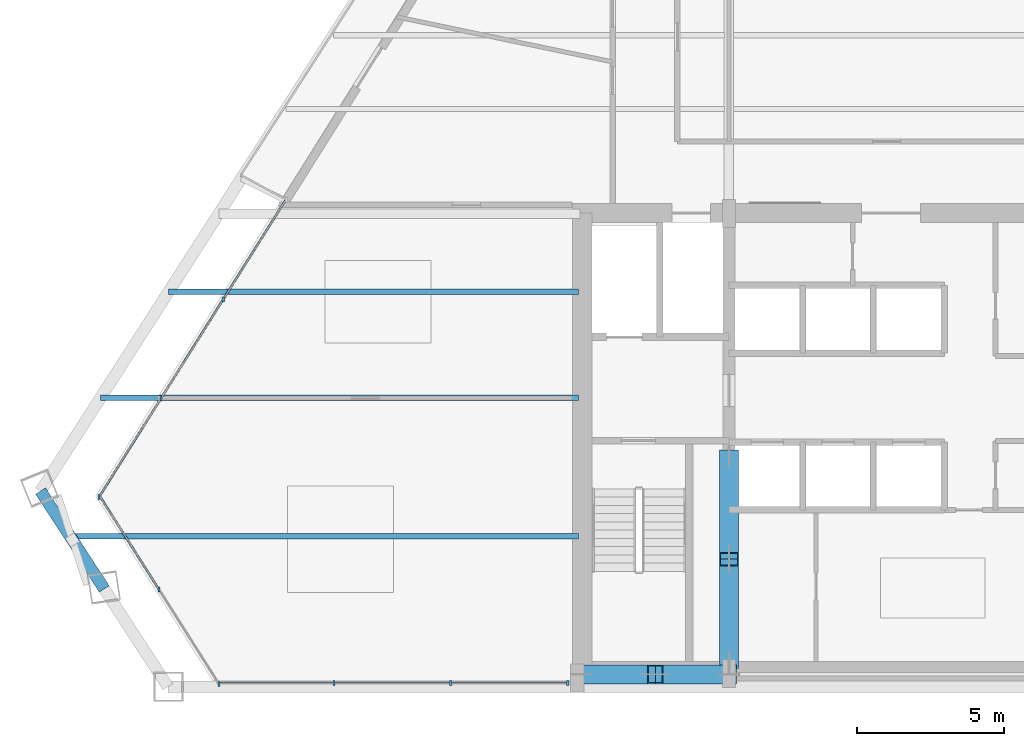
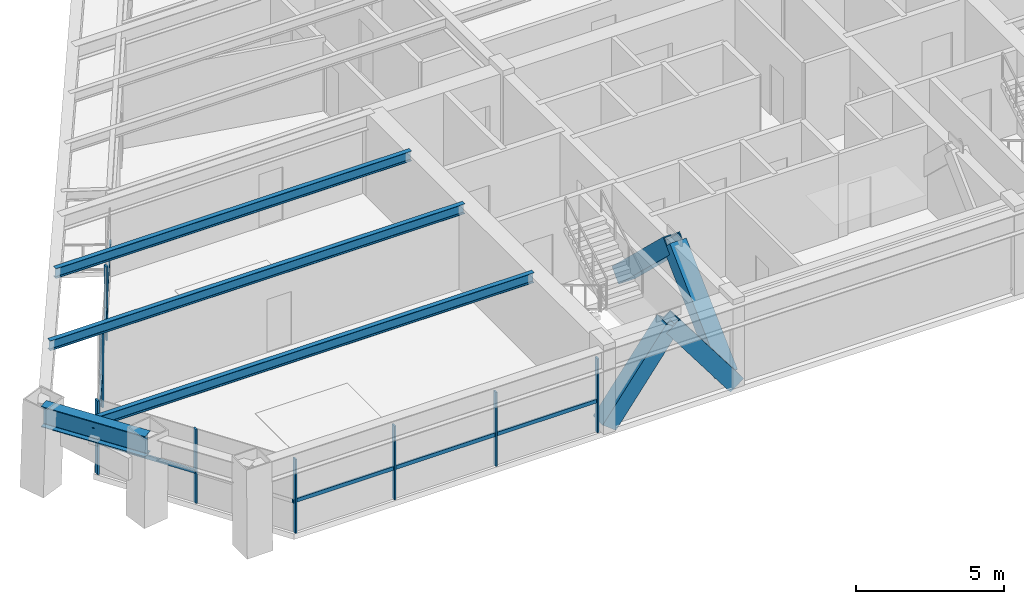
# One storey, part 2 of 15: 19 members, 4 beams, 3 elements without a shape of their own.
"""IFC4 building model written with IfcOpenShell, lengths in metres."""

from ifc_helpers import new_model, si_unit, direction, frame, origin, origin_2d, place, context, subcontext, project, spatial, rectangle, hollow_rectangle, i_section, extrude, source, transform, mapped, material, material_profile, profile_set, type_object, element, aggregate, save


model = new_model("IFC4")

# Units and contexts
model_context = context("Model", 3, precision=1e-05, world=origin(), true_north=direction((0.0, 1.0)))
body_context = subcontext(model_context, "Body", "Model", "MODEL_VIEW")
ifc_project = project(units=[si_unit("LENGTHUNIT", "METRE"), si_unit("AREAUNIT", "SQUARE_METRE"), si_unit("VOLUMEUNIT", "CUBIC_METRE"), si_unit("PLANEANGLEUNIT", "RADIAN"), si_unit("MASSUNIT", "GRAM", prefix="KILO")], contexts=[model_context])

# Site, building, storey
site_placement = place(None, origin())
site = spatial("IfcSite", under=ifc_project, at=site_placement, CompositionType="ELEMENT")
building_placement = place(site_placement, origin())
building = spatial("IfcBuilding", under=site, at=building_placement, Name="Varnakhor Terracotta Tower", CompositionType="ELEMENT")
storey_placement = place(building_placement, frame((0.0, 0.0, 174.699951171875)))
storey = spatial("IfcBuildingStorey", under=building, at=storey_placement, Name="L44", CompositionType="ELEMENT", Elevation=174.699951171875)

# Members
ifc_material_1 = material(Name="Steel S460", Category="steel")
ifc_material_profile_1 = material_profile(ifc_material_1, hollow_rectangle(XDim=0.64990234375, YDim=0.64990234375, WallThickness=0.0400390625, at=origin_2d()), Name="HSS650X650X40")
ifc_profile_set_1 = profile_set([ifc_material_profile_1], Name="Steel S460")
member_type_1 = type_object("IfcMemberType", Name="MBR-MEGA-650", PredefinedType="BRACE", material=ifc_profile_set_1)
shared_shape_1 = source(origin(), body_context, "Body", "SweptSolid", [
    extrude(hollow_rectangle(XDim=0.64990234375, YDim=0.64990234375, WallThickness=0.0400390625, at=origin_2d()), origin(), (0.0, 0.0, 1.0), 4.805908203125),
])
member_1_placement = place(storey_placement, frame((-5.5, 0.85009765625, 0.0), z_axis=(0.0, 0.723026776832, 0.69082000549), x_axis=(-1.0, 0.0, 0.0)))
element("IfcMember", 1, at=member_1_placement, inside=storey, type_object=member_type_1, Name="L44 Core Coupled Brace CWWA", PredefinedType="BRACE", context=body_context, shape_type="MappedRepresentation", body=[
    mapped(shared_shape_1, transform((0.0, 0.0, 0.0), scale=1.0)),
])
shared_shape_2 = source(origin(), body_context, "Body", "SweptSolid", [
    extrude(hollow_rectangle(XDim=0.64990234375, YDim=0.64990234375, WallThickness=0.0400390625, at=origin_2d()), origin(), (0.0, 0.0, 1.0), 4.156005859375),
])
for number, where, z_axis, x_axis, name in (
    (2, (-10.5, 0.419921875, 0.0), (0.601530923869, 0.0, 0.798849515009), (0.0, 1.0, 0.0), "L44 Core Coupled Brace CSWA"),
    (3, (-5.5, 0.419921875, 0.0), (-0.601530923869, 0.0, 0.798849515009), (0.0, -1.0, 0.0), "L44 Core Coupled Brace CSWB"),
):
    element("IfcMember", number, at=place(storey_placement, frame(where, z_axis=z_axis, x_axis=x_axis)), inside=storey, type_object=member_type_1, Name=name, PredefinedType="BRACE", context=body_context, shape_type="MappedRepresentation", body=[
        mapped(shared_shape_2, transform((0.0, 0.0, 0.0), scale=1.0)),
    ])
shared_shape_3 = source(origin(), body_context, "Body", "SweptSolid", [
    extrude(hollow_rectangle(XDim=0.64990234375, YDim=0.64990234375, WallThickness=0.0400390625, at=origin_2d()), origin(), (0.0, 0.0, 1.0), 4.80615234375),
])
member_2_placement = place(storey_placement, frame((-5.5, 7.800048828125, 0.0), z_axis=(0.0, -0.723051018573, 0.690794632681), x_axis=(1.0, 0.0, 0.0)))
element("IfcMember", 4, at=member_2_placement, inside=storey, type_object=member_type_1, Name="L44 Core Coupled Brace CWWB", PredefinedType="BRACE", context=body_context, shape_type="MappedRepresentation", body=[
    mapped(shared_shape_3, transform((0.0, 0.0, 0.0), scale=1.0)),
])

# Beams
ifc_material_2 = material(Name="Steel S355", Category="steel")
ifc_material_profile_2 = material_profile(ifc_material_2, i_section(OverallWidth=0.39990234375, OverallDepth=0.85498046875, WebThickness=0.01806640625, FlangeThickness=0.029052734375, FilletRadius=0.01806640625, at=origin_2d()), Name="W33X201")
ifc_profile_set_2 = profile_set([ifc_material_profile_2], Name="Steel S355")
beam_type_1 = type_object("IfcBeamType", Name="BM-W33X201", PredefinedType="BEAM", material=ifc_profile_set_2)
shared_shape_4 = source(origin(), body_context, "Body", "SweptSolid", [
    extrude(i_section(OverallWidth=0.39990234375, OverallDepth=0.85498046875, WebThickness=0.01806640625, FlangeThickness=0.029052734375, FilletRadius=0.01806640625, at=origin_2d()), origin(), (0.0, 0.0, 1.0), 3.959228515625),
])
beam_1_placement = place(storey_placement, frame((-28.856689453125, 6.6376953125, 3.04248046875), z_axis=(0.545244089697, -0.838277330393, 0.0), x_axis=(0.838277330393, 0.545244089697, 0.0)))
element("IfcBeam", 5, at=beam_1_placement, inside=storey, type_object=beam_type_1, Name="L44 Perimeter Spandrel 7", PredefinedType="BEAM", context=body_context, shape_type="MappedRepresentation", body=[
    mapped(shared_shape_4, transform((0.0, 0.0, 0.0), scale=1.0)),
])
ifc_material_profile_3 = material_profile(ifc_material_2, i_section(OverallWidth=0.179931640625, OverallDepth=0.4130859375, WebThickness=0.009765625, FlangeThickness=0.01611328125, FilletRadius=0.01806640625, at=origin_2d()), Name="W16X50")
ifc_profile_set_3 = profile_set([ifc_material_profile_3], Name="Steel S355")
beam_type_2 = type_object("IfcBeamType", Name="JST-W16X50", PredefinedType="JOIST", material=ifc_profile_set_3)
shared_shape_5 = source(origin(), body_context, "Body", "SweptSolid", [
    extrude(i_section(OverallWidth=0.179931640625, OverallDepth=0.4130859375, WebThickness=0.009765625, FlangeThickness=0.01611328125, FilletRadius=0.01806640625, at=origin_2d()), origin(), (0.0, 0.0, 1.0), 17.25634765625),
])
beam_2_placement = place(storey_placement, frame((-27.8564453125, 5.10009765625, 3.263427734375), z_axis=(1.0, 0.0, 0.0), x_axis=(0.0, 1.0, 0.0)))
element("IfcBeam", 6, at=beam_2_placement, inside=storey, type_object=beam_type_2, Name="L44 Floor Joist W1", PredefinedType="JOIST", context=body_context, shape_type="MappedRepresentation", body=[
    mapped(shared_shape_5, transform((0.0, 0.0, 0.0), scale=1.0)),
])
shared_shape_6 = source(origin(), body_context, "Body", "SweptSolid", [
    extrude(i_section(OverallWidth=0.179931640625, OverallDepth=0.4130859375, WebThickness=0.009765625, FlangeThickness=0.01611328125, FilletRadius=0.01806640625, at=origin_2d()), origin(), (0.0, 0.0, 1.0), 16.2255859375),
])
beam_3_placement = place(storey_placement, frame((-26.82568359375, 9.800048828125, 3.263427734375), z_axis=(1.0, 0.0, 0.0), x_axis=(0.0, 1.0, 0.0)))
element("IfcBeam", 7, at=beam_3_placement, inside=storey, type_object=beam_type_2, Name="L44 Floor Joist W2", PredefinedType="JOIST", context=body_context, shape_type="MappedRepresentation", body=[
    mapped(shared_shape_6, transform((0.0, 0.0, 0.0), scale=1.0)),
])
shared_shape_7 = source(origin(), body_context, "Body", "SweptSolid", [
    extrude(i_section(OverallWidth=0.179931640625, OverallDepth=0.4130859375, WebThickness=0.009765625, FlangeThickness=0.01611328125, FilletRadius=0.01806640625, at=origin_2d()), origin(), (0.0, 0.0, 1.0), 13.913330078125),
])
beam_4_placement = place(storey_placement, frame((-24.513427734375, 13.39990234375, 3.263427734375), z_axis=(1.0, 0.0, 0.0), x_axis=(0.0, 1.0, 0.0)))
element("IfcBeam", 8, at=beam_4_placement, inside=storey, type_object=beam_type_2, Name="L44 Floor Joist W3", PredefinedType="JOIST", context=body_context, shape_type="MappedRepresentation", body=[
    mapped(shared_shape_7, transform((0.0, 0.0, 0.0), scale=1.0)),
])

# Curtain wall, members
ifc_material_3 = material(Name="Anodised Aluminium Curtain Wall System", Category="aluminium")
curtain_wall_type = type_object("IfcCurtainWallType", Name="CW-SYS-MID-OFFICE", PredefinedType="NOTDEFINED", material=ifc_material_3)
curtain_wall_1_placement = place(storey_placement, origin())
curtain_wall_1 = element("IfcCurtainWall", 9, at=curtain_wall_1_placement, inside=storey, type_object=curtain_wall_type, Name="L44 W Facet Curtain Wall 1", PredefinedType="NOTDEFINED")
ifc_material_4 = material(Name="Anodised Aluminium 6063-T6", Category="aluminium")
ifc_material_profile_4 = material_profile(ifc_material_4, rectangle(XDim=0.070068359375, YDim=0.175048828125, at=origin_2d()), Name="ALU MULLION 70x175")
ifc_profile_set_4 = profile_set([ifc_material_profile_4], Name="Anodised Aluminium 6063-T6")
member_type_2 = type_object("IfcMemberType", Name="CWM-03", PredefinedType="MULLION", material=ifc_profile_set_4)
shared_shape_8 = source(origin(), body_context, "Body", "SweptSolid", [
    extrude(rectangle(XDim=0.070068359375, YDim=0.175048828125, at=origin_2d()), origin(), (0.0, 0.0, 1.0), 3.050048828125),
])
member_3_placement = place(storey_placement, frame((-26.87548828125, 6.431884765625, 0.0), z_axis=(0.0, 0.0, 1.0), x_axis=(1.0, 0.0, 0.0)))
member_3 = element("IfcMember", 10, at=member_3_placement, type_object=member_type_2, Name="L44 W Facet Curtain Wall 1 Mullion 1", PredefinedType="MULLION", context=body_context, shape_type="MappedRepresentation", body=[
    mapped(shared_shape_8, transform((0.0, 0.0, 0.0), scale=1.0)),
])
member_4_placement = place(storey_placement, frame((-24.767578125, 9.78759765625, 0.0), z_axis=(0.0, 0.0, 1.0), x_axis=(1.0, 0.0, 0.0)))
member_4 = element("IfcMember", 11, at=member_4_placement, type_object=member_type_2, Name="L44 W Facet Curtain Wall 1 Mullion 2", PredefinedType="MULLION", context=body_context, shape_type="MappedRepresentation", body=[
    mapped(shared_shape_8, transform((0.0, 0.0, 0.0), scale=1.0)),
])
member_5_placement = place(storey_placement, frame((-22.659912109375, 13.1435546875, 0.0), z_axis=(0.0, 0.0, 1.0), x_axis=(1.0, 0.0, 0.0)))
member_5 = element("IfcMember", 12, at=member_5_placement, type_object=member_type_2, Name="L44 W Facet Curtain Wall 1 Mullion 3", PredefinedType="MULLION", context=body_context, shape_type="MappedRepresentation", body=[
    mapped(shared_shape_8, transform((0.0, 0.0, 0.0), scale=1.0)),
])

curtain_wall_2_placement = place(storey_placement, origin())
curtain_wall_2 = element("IfcCurtainWall", 13, at=curtain_wall_2_placement, inside=storey, type_object=curtain_wall_type, Name="L44 South Wing Curtain Wall SSW", PredefinedType="NOTDEFINED")
member_6_placement = place(storey_placement, frame((-10.969970703125, 0.1201171875, 0.0), z_axis=(0.0, 0.0, 1.0), x_axis=(1.0, 0.0, 0.0)))
member_6 = element("IfcMember", 14, at=member_6_placement, type_object=member_type_2, Name="L44 South Wing Curtain Wall SSW Mullion 1", PredefinedType="MULLION", context=body_context, shape_type="MappedRepresentation", body=[
    mapped(shared_shape_8, transform((0.0, 0.0, 0.0), scale=1.0)),
])
member_7_placement = place(storey_placement, frame((-14.939208984375, 0.1201171875, 0.0), z_axis=(0.0, 0.0, 1.0), x_axis=(1.0, 0.0, 0.0)))
member_7 = element("IfcMember", 15, at=member_7_placement, type_object=member_type_2, Name="L44 South Wing Curtain Wall SSW Mullion 2", PredefinedType="MULLION", context=body_context, shape_type="MappedRepresentation", body=[
    mapped(shared_shape_8, transform((0.0, 0.0, 0.0), scale=1.0)),
])
member_8_placement = place(storey_placement, frame((-18.908447265625, 0.1201171875, 0.0), z_axis=(0.0, 0.0, 1.0), x_axis=(1.0, 0.0, 0.0)))
member_8 = element("IfcMember", 16, at=member_8_placement, type_object=member_type_2, Name="L44 South Wing Curtain Wall SSW Mullion 3", PredefinedType="MULLION", context=body_context, shape_type="MappedRepresentation", body=[
    mapped(shared_shape_8, transform((0.0, 0.0, 0.0), scale=1.0)),
])

curtain_wall_3_placement = place(storey_placement, origin())
curtain_wall_3 = element("IfcCurtainWall", 17, at=curtain_wall_3_placement, inside=storey, type_object=curtain_wall_type, Name="L44 Facet Curtain Wall 6", PredefinedType="NOTDEFINED")
member_9_placement = place(storey_placement, frame((-22.802490234375, 0.089599609375, 0.0), z_axis=(0.0, 0.0, 1.0), x_axis=(1.0, 0.0, 0.0)))
member_9 = element("IfcMember", 18, at=member_9_placement, type_object=member_type_2, Name="L44 Facet Curtain Wall 6 Mullion 1", PredefinedType="MULLION", context=body_context, shape_type="MappedRepresentation", body=[
    mapped(shared_shape_8, transform((0.0, 0.0, 0.0), scale=1.0)),
])
member_10_placement = place(storey_placement, frame((-24.839111328125, 3.29931640625, 0.0), z_axis=(0.0, 0.0, 1.0), x_axis=(1.0, 0.0, 0.0)))
member_10 = element("IfcMember", 19, at=member_10_placement, type_object=member_type_2, Name="L44 Facet Curtain Wall 6 Mullion 2", PredefinedType="MULLION", context=body_context, shape_type="MappedRepresentation", body=[
    mapped(shared_shape_8, transform((0.0, 0.0, 0.0), scale=1.0)),
])

# Member
ifc_material_profile_5 = material_profile(ifc_material_4, rectangle(XDim=0.070068359375, YDim=0.155029296875, at=origin_2d()), Name="ALU TRANSOM 70x155")
ifc_profile_set_5 = profile_set([ifc_material_profile_5], Name="Anodised Aluminium 6063-T6")
member_type_3 = type_object("IfcMemberType", Name="CWT-03", PredefinedType="USERDEFINED", material=ifc_profile_set_5)
shared_shape_9 = source(origin(), body_context, "Body", "SweptSolid", [
    extrude(rectangle(XDim=0.070068359375, YDim=0.155029296875, at=origin_2d()), origin(), (0.0, 0.0, 1.0), 3.962890625),
])
member_11_placement = place(storey_placement, frame((-26.87548828125, 6.431884765625, 1.281005859375), z_axis=(0.531919179556, 0.846795126592, 0.0), x_axis=(-0.846795126592, 0.531919179556, 0.0)))
member_11 = element("IfcMember", 20, at=member_11_placement, type_object=member_type_3, Name="L44 W Facet Curtain Wall 1 Transom 1", ObjectType="TRANSOM", PredefinedType="USERDEFINED", context=body_context, shape_type="MappedRepresentation", body=[
    mapped(shared_shape_9, transform((0.0, 0.0, 0.0), scale=1.0)),
])

member_12_placement = place(storey_placement, frame((-24.767578125, 9.78759765625, 1.281005859375), z_axis=(0.531847252978, 0.846840303422, 0.0), x_axis=(-0.846840303422, 0.531847252978, 0.0)))
member_12 = element("IfcMember", 21, at=member_12_placement, type_object=member_type_3, Name="L44 W Facet Curtain Wall 1 Transom 2", ObjectType="TRANSOM", PredefinedType="USERDEFINED", context=body_context, shape_type="MappedRepresentation", body=[
    mapped(shared_shape_9, transform((0.0, 0.0, 0.0), scale=1.0)),
])

member_13_placement = place(storey_placement, frame((-22.659912109375, 13.1435546875, 1.281005859375), z_axis=(0.531847252978, 0.846840303422, 0.0), x_axis=(-0.846840303422, 0.531847252978, 0.0)))
member_13 = element("IfcMember", 22, at=member_13_placement, type_object=member_type_3, Name="L44 W Facet Curtain Wall 1 Transom 3", ObjectType="TRANSOM", PredefinedType="USERDEFINED", context=body_context, shape_type="MappedRepresentation", body=[
    mapped(shared_shape_9, transform((0.0, 0.0, 0.0), scale=1.0)),
])

aggregate(curtain_wall_1, [member_3, member_11, member_4, member_12, member_5, member_13])

shared_shape_10 = source(origin(), body_context, "Body", "SweptSolid", [
    extrude(rectangle(XDim=0.070068359375, YDim=0.155029296875, at=origin_2d()), origin(), (0.0, 0.0, 1.0), 3.96923828125),
])
member_14_placement = place(storey_placement, frame((-10.969970703125, 0.1201171875, 1.281005859375), z_axis=(-1.0, 0.0, 0.0), x_axis=(0.0, -1.0, 0.0)))
member_14 = element("IfcMember", 23, at=member_14_placement, type_object=member_type_3, Name="L44 South Wing Curtain Wall SSW Transom 1", ObjectType="TRANSOM", PredefinedType="USERDEFINED", context=body_context, shape_type="MappedRepresentation", body=[
    mapped(shared_shape_10, transform((0.0, 0.0, 0.0), scale=1.0)),
])

member_15_placement = place(storey_placement, frame((-14.939208984375, 0.1201171875, 1.281005859375), z_axis=(-1.0, 0.0, 0.0), x_axis=(0.0, -1.0, 0.0)))
member_15 = element("IfcMember", 24, at=member_15_placement, type_object=member_type_3, Name="L44 South Wing Curtain Wall SSW Transom 2", ObjectType="TRANSOM", PredefinedType="USERDEFINED", context=body_context, shape_type="MappedRepresentation", body=[
    mapped(shared_shape_10, transform((0.0, 0.0, 0.0), scale=1.0)),
])

member_16_placement = place(storey_placement, frame((-18.908447265625, 0.1201171875, 1.281005859375), z_axis=(-1.0, 0.0, 0.0), x_axis=(0.0, -1.0, 0.0)))
member_16 = element("IfcMember", 25, at=member_16_placement, type_object=member_type_3, Name="L44 South Wing Curtain Wall SSW Transom 3", ObjectType="TRANSOM", PredefinedType="USERDEFINED", context=body_context, shape_type="MappedRepresentation", body=[
    mapped(shared_shape_10, transform((0.0, 0.0, 0.0), scale=1.0)),
])

aggregate(curtain_wall_2, [member_6, member_14, member_7, member_15, member_8, member_16])

shared_shape_11 = source(origin(), body_context, "Body", "SweptSolid", [
    extrude(rectangle(XDim=0.070068359375, YDim=0.155029296875, at=origin_2d()), origin(), (0.0, 0.0, 1.0), 3.801513671875),
])
member_17_placement = place(storey_placement, frame((-24.839111328125, 3.29931640625, 1.281005859375), z_axis=(-0.535736392474, 0.844385289888, 0.0), x_axis=(-0.844385289888, -0.535736392474, 0.0)))
member_17 = element("IfcMember", 26, at=member_17_placement, type_object=member_type_3, Name="L44 Facet Curtain Wall 6 Transom 2", ObjectType="TRANSOM", PredefinedType="USERDEFINED", context=body_context, shape_type="MappedRepresentation", body=[
    mapped(shared_shape_11, transform((0.0, 0.0, 0.0), scale=1.0)),
])

aggregate(curtain_wall_3, [member_9, member_10, member_17])

save(model, "model.ifc")
